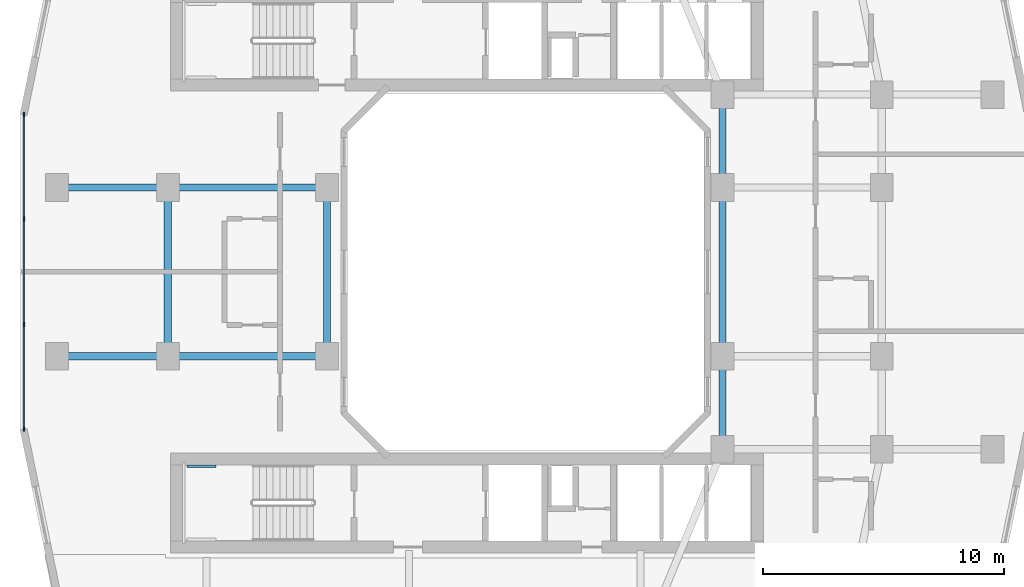
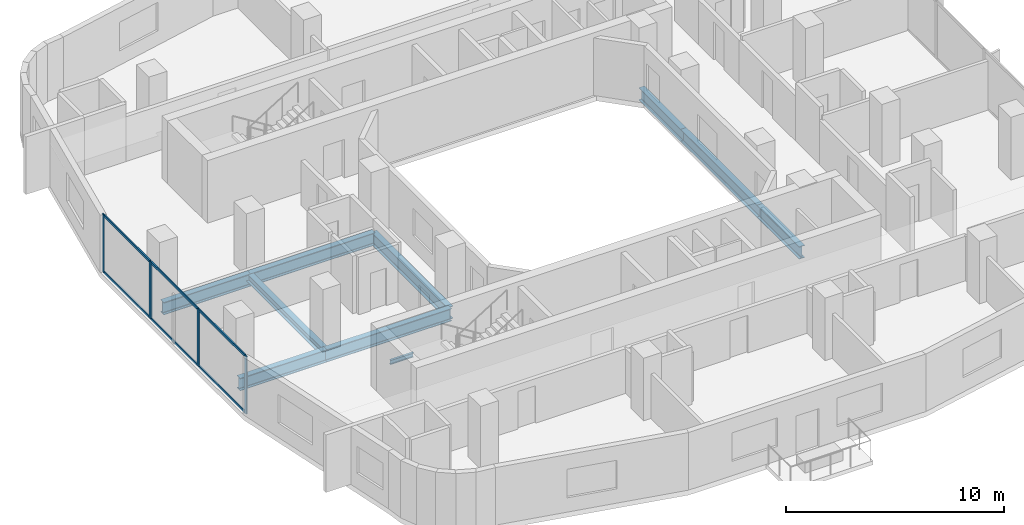
# One storey, part 2 of 22: 10 beams, 10 members, 1 element without a shape of its own.
"""IFC4 building model written with IfcOpenShell, lengths in metres."""

import ifcopenshell
import ifcopenshell.guid

model = None  # the IFC model being written
_history = None  # IfcOwnerHistory: only IFC2X3 demands one
_inside = {}  # id of a spatial element -> (the spatial element, [elements in it])
_under = {}  # id of a project, library or spatial element -> (it, [spatial elements below it])
_declared = {}  # id of a project -> (the project, [libraries it declares])
_typed = {}  # id of a type object -> (the type object, [elements of that type])
_made_of = {}  # id of a material, layer set ... -> (it, [elements and type objects made of it])


def new_model(schema):
    """Start an empty IFC model of exactly this schema.

    Asked for "IFC4X3", IfcOpenShell would pick the latest addendum, in which some entities
    have other attributes; the version numbers below select the first issue.
    IFC2X3 requires an IfcOwnerHistory on every rooted entity: one is made here for all.
    """
    global model, _history
    if schema == "IFC4X3":
        model = ifcopenshell.file(schema_version=(4, 3, 0, 0))
    else:
        model = ifcopenshell.file(schema=schema)
    _inside.clear()
    _under.clear()
    _declared.clear()
    _typed.clear()
    _made_of.clear()
    _history = None
    if model.schema == "IFC2X3":
        org = make("IfcOrganization", Name="unknown")
        user = make(
            "IfcPersonAndOrganization",
            ThePerson=make("IfcPerson", FamilyName="unknown"),
            TheOrganization=org,
        )
        app = make(
            "IfcApplication",
            ApplicationDeveloper=org,
            Version="unknown",
            ApplicationFullName="unknown",
            ApplicationIdentifier="unknown",
        )
        _history = make(
            "IfcOwnerHistory",
            OwningUser=user,
            OwningApplication=app,
            ChangeAction="ADDED",
            CreationDate=0,
        )
    return model


def make(cls, **values):
    """One entity of the class cls with the attributes given. An attribute that is None is left unset."""
    return model.create_entity(
        cls, **{name: value for name, value in values.items() if value is not None}
    )


def rooted(cls, **values):
    """An entity with a GlobalId (a new one), such as an element, a storey or a relation."""
    return make(cls, GlobalId=ifcopenshell.guid.new(), OwnerHistory=_history, **values)


def si_unit(unit_type, name, prefix=None):
    """IfcSIUnit, for example si_unit("LENGTHUNIT", "METRE", prefix="MILLI")."""
    return make("IfcSIUnit", UnitType=unit_type, Prefix=prefix, Name=name)


def derived_unit(unit_type, elements):
    """IfcDerivedUnit: a product of units, each with its exponent."""
    return make(
        "IfcDerivedUnit",
        Elements=[
            make("IfcDerivedUnitElement", Unit=unit, Exponent=power)
            for unit, power in elements
        ],
        UnitType=unit_type,
    )


def assignment(units):
    """IfcUnitAssignment: the units of a project."""
    return None if units is None else make("IfcUnitAssignment", Units=units)


def point(xyz):
    """IfcCartesianPoint."""
    return None if xyz is None else make("IfcCartesianPoint", Coordinates=xyz)


def direction(xyz):
    """IfcDirection."""
    return None if xyz is None else make("IfcDirection", DirectionRatios=xyz)


def frame(location, z_axis=None, x_axis=None):
    """IfcAxis2Placement3D, a coordinate frame: its origin and axes. An axis left out is left unset."""
    return make(
        "IfcAxis2Placement3D",
        Location=point(location),
        Axis=direction(z_axis),
        RefDirection=direction(x_axis),
    )


def frame_2d(location, x_axis=None):
    """IfcAxis2Placement2D, a coordinate frame in the plane: its origin and x axis."""
    return make(
        "IfcAxis2Placement2D", Location=point(location), RefDirection=direction(x_axis)
    )


def origin():
    """The frame at (0, 0, 0) with its axes left unset."""
    return frame((0.0, 0.0, 0.0))


def origin_2d():
    """The frame at (0, 0) in the plane with its x axis left unset."""
    return frame_2d((0.0, 0.0))


def place(relative_to, where):
    """IfcLocalPlacement: puts the frame where relative to a parent placement (None: the world)."""
    return make(
        "IfcLocalPlacement", PlacementRelTo=relative_to, RelativePlacement=where
    )


def context(
    kind, dimensions, precision=None, world=None, true_north=None, identifier=None
):
    """IfcGeometricRepresentationContext, for example the 3D "Model" context."""
    return make(
        "IfcGeometricRepresentationContext",
        ContextIdentifier=identifier,
        ContextType=kind,
        CoordinateSpaceDimension=dimensions,
        Precision=precision,
        WorldCoordinateSystem=world,
        TrueNorth=true_north,
    )


def subcontext(parent, identifier, kind, view, scale=None):
    """IfcGeometricRepresentationSubContext, for example "Body" below "Model"."""
    return make(
        "IfcGeometricRepresentationSubContext",
        ContextIdentifier=identifier,
        ContextType=kind,
        ParentContext=parent,
        TargetScale=scale,
        TargetView=view,
    )


def project(units=None, contexts=None):
    """IfcProject with its units and contexts."""
    return rooted(
        "IfcProject",
        Name="project",
        RepresentationContexts=contexts,
        UnitsInContext=assignment(units),
    )


def spatial(cls, under=None, at=None, **own):
    """A site, building, storey or space (cls), placed at a placement, below another one or the project."""
    s = rooted(cls, ObjectPlacement=at, **own)
    if under is not None:
        _under.setdefault(under.id(), (under, []))[1].append(s)
    return s


def profile(cls, at=None, kind="AREA", **sizes):
    """A parametric profile (cls). Its sizes go by their IFC names, for example OverallWidth=200.0."""
    return make(cls, ProfileType=kind, Position=at, **sizes)


def rectangle(**sizes):
    """IfcRectangleProfileDef."""
    return profile("IfcRectangleProfileDef", **sizes)


def i_section(**sizes):
    """IfcIShapeProfileDef."""
    return profile("IfcIShapeProfileDef", **sizes)


def extrude(swept, where, along, depth):
    """IfcExtrudedAreaSolid: the profile swept, set in the frame where, extruded along a direction by depth."""
    return make(
        "IfcExtrudedAreaSolid",
        SweptArea=swept,
        Position=where,
        ExtrudedDirection=direction(along),
        Depth=depth,
    )


def shape(context_of_items, identifier, shape_type, items):
    """IfcShapeRepresentation: the items that make up one representation, for example the "Body"."""
    return make(
        "IfcShapeRepresentation",
        ContextOfItems=context_of_items,
        RepresentationIdentifier=identifier,
        RepresentationType=shape_type,
        Items=items,
    )


def material(Name=None, Category=None):
    """IfcMaterial."""
    return make("IfcMaterial", Name=Name, Category=Category)


def layer(
    of_material, thickness, ventilated=None, Name=None, Category=None, Priority=None
):
    """IfcMaterialLayer: one layer of a wall or slab, of a material (None: an air gap)."""
    return make(
        "IfcMaterialLayer",
        Material=of_material,
        LayerThickness=thickness,
        IsVentilated=ventilated,
        Name=Name,
        Category=Category,
        Priority=Priority,
    )


def layer_set(layers, Name=None):
    """IfcMaterialLayerSet."""
    return make("IfcMaterialLayerSet", MaterialLayers=layers, LayerSetName=Name)


def material_profile(
    of_material, cross_section, Name=None, Category=None, Priority=None
):
    """IfcMaterialProfile: a cross section and its material."""
    return make(
        "IfcMaterialProfile",
        Name=Name,
        Material=of_material,
        Profile=cross_section,
        Priority=Priority,
        Category=Category,
    )


def profile_set(profiles, Name=None, composite=None):
    """IfcMaterialProfileSet."""
    return make(
        "IfcMaterialProfileSet",
        Name=Name,
        MaterialProfiles=profiles,
        CompositeProfile=composite,
    )


def made_of(thing, what):
    """Note that an element or type object is made of a material, layer set ...; save() writes the relation."""
    if what is not None:
        _made_of.setdefault(what.id(), (what, []))[1].append(thing)
    return thing


def type_object(cls, material=None, **own):
    """A type object (cls), such as IfcWallType, which elements share."""
    return made_of(rooted(cls, **own), material)


def element(
    cls,
    number,
    at=None,
    inside=None,
    cuts=None,
    type_object=None,
    material=None,
    context=None,
    identifier="Body",
    shape_type=None,
    held_by="IfcProductDefinitionShape",
    body=None,
    shapes=None,
    **own,
):
    """One element of the class cls, such as IfcWall. Its Tag is "e" and its number.

    at: its placement. inside: the storey or other place that contains it. cuts: it is an
    opening in that element (IfcRelVoidsElement). A single representation is given by context,
    identifier, shape_type and body (its items); several are given by shapes. held_by: the class
    of the entity that holds the representations. save() writes the other relations.
    """
    e = rooted(cls, Tag="e%d" % number, ObjectPlacement=at, **own)
    if body is not None:
        shapes = [shape(context, identifier, shape_type, body)]
    if shapes is not None:
        e.Representation = make(held_by, Representations=shapes)
    if inside is not None:
        _inside.setdefault(inside.id(), (inside, []))[1].append(e)
    if cuts is not None:
        rooted(
            "IfcRelVoidsElement", RelatingBuildingElement=cuts, RelatedOpeningElement=e
        )
    if type_object is not None:
        _typed.setdefault(type_object.id(), (type_object, []))[1].append(e)
    return made_of(e, material)


def aggregate(whole, parts):
    """IfcRelAggregates: a whole, such as a stair, and the parts it consists of."""
    return rooted("IfcRelAggregates", RelatingObject=whole, RelatedObjects=parts)


def save(model, path):
    """Write the relations noted so far, then the file.

    IfcRelAggregates (storeys below a building ...), IfcRelContainedInSpatialStructure (elements
    in a storey), IfcRelDefinesByType, IfcRelAssociatesMaterial and IfcRelDeclares: one each for
    every whole, place, type object, material and project.
    """
    for whole, parts in _under.values():
        aggregate(whole, parts)
    for where, things in _inside.values():
        rooted(
            "IfcRelContainedInSpatialStructure",
            RelatedElements=things,
            RelatingStructure=where,
        )
    for kind, things in _typed.values():
        rooted("IfcRelDefinesByType", RelatedObjects=things, RelatingType=kind)
    for what, things in _made_of.values():
        rooted("IfcRelAssociatesMaterial", RelatedObjects=things, RelatingMaterial=what)
    for by, libraries in _declared.values():
        rooted("IfcRelDeclares", RelatingContext=by, RelatedDefinitions=libraries)
    model.write(path)


model = new_model("IFC4")

# Units and contexts
model_context = context("Model", 3, precision=1e-05, world=origin(), true_north=direction((0.0, 1.0)))
body_context = subcontext(model_context, "Body", "Model", "MODEL_VIEW")
ifc_project = project(units=[si_unit("LENGTHUNIT", "METRE"), si_unit("AREAUNIT", "SQUARE_METRE"), si_unit("VOLUMEUNIT", "CUBIC_METRE"), si_unit("PLANEANGLEUNIT", "RADIAN"), si_unit("MASSUNIT", "GRAM", prefix="KILO"), derived_unit("THERMALTRANSMITTANCEUNIT", [(si_unit("POWERUNIT", "WATT"), 1), (si_unit("LENGTHUNIT", "METRE"), -2), (si_unit("THERMODYNAMICTEMPERATUREUNIT", "KELVIN"), -1)])], contexts=[model_context])

# Site, building, storey
site_placement = place(None, origin())
site = spatial("IfcSite", under=ifc_project, at=site_placement, CompositionType="ELEMENT")
building_placement = place(site_placement, origin())
building = spatial("IfcBuilding", under=site, at=building_placement, Name="Kivonza Crest Hotel", CompositionType="ELEMENT")
storey_placement = place(building_placement, frame((0.0, 0.0, 59.0)))
storey = spatial("IfcBuildingStorey", under=building, at=storey_placement, Name="L15", CompositionType="ELEMENT", Elevation=59.0)

# Beams
ifc_material_1 = material(Name="Steel S355", Category="steel")
ifc_material_profile_1 = material_profile(ifc_material_1, i_section(OverallWidth=0.300048828125, OverallDepth=0.449951171875, WebThickness=0.013916015625, FlangeThickness=0.02587890625, FilletRadius=0.027099609375, at=origin_2d()), Name="HEB 450")
ifc_profile_set_1 = profile_set([ifc_material_profile_1], Name="Steel S355")
beam_type_1 = type_object("IfcBeamType", Name="BM-HEB450", PredefinedType="SPANDREL", material=ifc_profile_set_1)
beam_1_placement = place(storey_placement, frame((6.199951171875, 28.5, -0.5048828125), z_axis=(0.0, -1.0, 0.0), x_axis=(1.0, 0.0, 0.0)))
element("IfcBeam", 1, at=beam_1_placement, inside=storey, type_object=beam_type_1, Name="Tower T1 L15 perimeter spandrel W2-W1", PredefinedType="SPANDREL", context=body_context, shape_type="SweptSolid", body=[
    extrude(i_section(OverallWidth=0.300048828125, OverallDepth=0.449951171875, WebThickness=0.013916015625, FlangeThickness=0.02587890625, FilletRadius=0.027099609375, at=origin_2d()), origin(), (0.0, 0.0, 1.0), 7.0),
])
ifc_material_profile_2 = material_profile(ifc_material_1, i_section(OverallWidth=0.300048828125, OverallDepth=0.699951171875, WebThickness=0.01708984375, FlangeThickness=0.031982421875, FilletRadius=0.027099609375, at=origin_2d()), Name="HEB 700")
ifc_profile_set_2 = profile_set([ifc_material_profile_2], Name="Steel S355")
beam_type_2 = type_object("IfcBeamType", Name="BM-HEB700", PredefinedType="BEAM", material=ifc_profile_set_2)
for number, where, z_axis, x_axis, name in (
    (2, (6.199951171875, 21.5, -0.6298828125), (1.0, 0.0, 0.0), (0.0, 1.0, 0.0), "Tower T1 L15 primary girder W1-WL1"),
    (3, (6.199951171875, 28.5, -0.6298828125), (1.0, 0.0, 0.0), (0.0, 1.0, 0.0), "Tower T1 L15 primary girder W2-WL2"),
):
    element("IfcBeam", number, at=place(storey_placement, frame(where, z_axis=z_axis, x_axis=x_axis)), inside=storey, type_object=beam_type_2, Name=name, PredefinedType="BEAM", context=body_context, shape_type="SweptSolid", body=[
        extrude(i_section(OverallWidth=0.300048828125, OverallDepth=0.699951171875, WebThickness=0.01708984375, FlangeThickness=0.031982421875, FilletRadius=0.027099609375, at=origin_2d()), origin(), (0.0, 0.0, 1.0), 6.60009765625),
    ])
for number, where, z_axis, x_axis, name in (
    (4, (12.800048828125, 21.5, -0.6298828125), (0.0, 1.0, 0.0), (-1.0, 0.0, 0.0), "Tower T1 L15 primary girder WL1-WL2"),
    (5, (29.199951171875, 21.5, -0.6298828125), (0.0, 1.0, 0.0), (-1.0, 0.0, 0.0), "Tower T1 L15 primary girder WR1-WR2"),
):
    element("IfcBeam", number, at=place(storey_placement, frame(where, z_axis=z_axis, x_axis=x_axis)), inside=storey, type_object=beam_type_2, Name=name, PredefinedType="BEAM", context=body_context, shape_type="SweptSolid", body=[
        extrude(i_section(OverallWidth=0.300048828125, OverallDepth=0.699951171875, WebThickness=0.01708984375, FlangeThickness=0.031982421875, FilletRadius=0.027099609375, at=origin_2d()), origin(), (0.0, 0.0, 1.0), 7.0),
    ])
for number, where, z_axis, x_axis, name in (
    (6, (29.199951171875, 17.64990234375, -0.6298828125), (0.0, 1.0, 0.0), (-1.0, 0.0, 0.0), "Tower T1 L15 primary girder TSE-WR1"),
    (7, (29.199951171875, 28.5, -0.6298828125), (0.0, 1.0, 0.0), (-1.0, 0.0, 0.0), "Tower T1 L15 primary girder WR2-TNE"),
):
    element("IfcBeam", number, at=place(storey_placement, frame(where, z_axis=z_axis, x_axis=x_axis)), inside=storey, type_object=beam_type_2, Name=name, PredefinedType="BEAM", context=body_context, shape_type="SweptSolid", body=[
        extrude(i_section(OverallWidth=0.300048828125, OverallDepth=0.699951171875, WebThickness=0.01708984375, FlangeThickness=0.031982421875, FilletRadius=0.027099609375, at=origin_2d()), origin(), (0.0, 0.0, 1.0), 3.85009765625),
    ])
for number, where, z_axis, x_axis, name in (
    (8, (1.60009765625, 21.5, -0.6298828125), (1.0, 0.0, 0.0), (0.0, 1.0, 0.0), "Tower T1 L15 outer bay girder ZW1"),
    (9, (1.60009765625, 28.5, -0.6298828125), (1.0, 0.0, 0.0), (0.0, 1.0, 0.0), "Tower T1 L15 outer bay girder ZW2"),
):
    element("IfcBeam", number, at=place(storey_placement, frame(where, z_axis=z_axis, x_axis=x_axis)), inside=storey, type_object=beam_type_2, Name=name, PredefinedType="BEAM", context=body_context, shape_type="SweptSolid", body=[
        extrude(i_section(OverallWidth=0.300048828125, OverallDepth=0.699951171875, WebThickness=0.01708984375, FlangeThickness=0.031982421875, FilletRadius=0.027099609375, at=origin_2d()), origin(), (0.0, 0.0, 1.0), 4.599853515625),
    ])
ifc_material_profile_3 = material_profile(ifc_material_1, i_section(OverallWidth=0.1201171875, OverallDepth=0.239990234375, WebThickness=0.006103515625, FlangeThickness=0.009765625, FilletRadius=0.014892578125, at=origin_2d()), Name="IPE 240")
ifc_profile_set_3 = profile_set([ifc_material_profile_3], Name="Steel S355")
beam_type_3 = type_object("IfcBeamType", Name="BM-LLDG-240", PredefinedType="BEAM", material=ifc_profile_set_3)
beam_2_placement = place(storey_placement, frame((6.989990234375, 16.93994140625, 1.429931640625), z_axis=(1.0, 0.0, 0.0), x_axis=(0.0, 1.0, 0.0)))
element("IfcBeam", 10, at=beam_2_placement, inside=storey, type_object=beam_type_3, Name="Stair ST-T1-S L15 North landing corbel", PredefinedType="BEAM", context=body_context, shape_type="SweptSolid", body=[
    extrude(i_section(OverallWidth=0.1201171875, OverallDepth=0.239990234375, WebThickness=0.006103515625, FlangeThickness=0.009765625, FilletRadius=0.014892578125, at=origin_2d()), origin(), (0.0, 0.0, 1.0), 1.2099609375),
])

# Curtain wall, members
ifc_material_2 = material(Name="Anodised bronze aluminium and low-E double glazing", Category="aluminium")
ifc_layer = layer(ifc_material_2, 0.179931640625)
ifc_layer_set = layer_set([ifc_layer], Name="Anodised bronze aluminium and low-E double glazing")
curtain_wall_type = type_object("IfcCurtainWallType", Name="CW-SYS-2", PredefinedType="NOTDEFINED", material=ifc_layer_set)
curtain_wall_placement = place(storey_placement, origin())
curtain_wall = element("IfcCurtainWall", 11, at=curtain_wall_placement, inside=storey, type_object=curtain_wall_type, Name="L15 unitised curtain wall CW-T1-L15-35", PredefinedType="NOTDEFINED")
ifc_material_3 = material(Name="Anodised bronze aluminium", Category="aluminium")
ifc_material_profile_4 = material_profile(ifc_material_3, rectangle(XDim=0.06494140625, YDim=0.179931640625, at=origin_2d()), Name="CW-M 65x180")
ifc_profile_set_4 = profile_set([ifc_material_profile_4], Name="Anodised bronze aluminium")
member_type_1 = type_object("IfcMemberType", Name="CW-MUL-65x180", PredefinedType="MULLION", material=ifc_profile_set_4)
member_1_placement = place(storey_placement, frame((0.239990234375, 31.527587890625, 0.0), z_axis=(0.0, 0.0, 1.0), x_axis=(1.0, 0.0, 0.0)))
member_1 = element("IfcMember", 12, at=member_1_placement, type_object=member_type_1, Name="CW-2 mullion 1", PredefinedType="MULLION", context=body_context, shape_type="SweptSolid", body=[
    extrude(rectangle(XDim=0.06494140625, YDim=0.179931640625, at=origin_2d()), origin(), (0.0, 0.0, 1.0), 3.219970703125),
])
member_2_placement = place(storey_placement, frame((0.239990234375, 27.186767578125, 0.0), z_axis=(0.0, 0.0, 1.0), x_axis=(1.0, 0.0, 0.0)))
member_2 = element("IfcMember", 13, at=member_2_placement, type_object=member_type_1, Name="CW-2 mullion 2", PredefinedType="MULLION", context=body_context, shape_type="SweptSolid", body=[
    extrude(rectangle(XDim=0.06494140625, YDim=0.179931640625, at=origin_2d()), origin(), (0.0, 0.0, 1.0), 3.219970703125),
])
member_3_placement = place(storey_placement, frame((0.239990234375, 22.813232421875, 0.0), z_axis=(0.0, 0.0, 1.0), x_axis=(1.0, 0.0, 0.0)))
member_3 = element("IfcMember", 14, at=member_3_placement, type_object=member_type_1, Name="CW-2 mullion 3", PredefinedType="MULLION", context=body_context, shape_type="SweptSolid", body=[
    extrude(rectangle(XDim=0.06494140625, YDim=0.179931640625, at=origin_2d()), origin(), (0.0, 0.0, 1.0), 3.219970703125),
])
member_4_placement = place(storey_placement, frame((0.239990234375, 18.472412109375, 0.0), z_axis=(0.0, 0.0, 1.0), x_axis=(1.0, 0.0, 0.0)))
member_4 = element("IfcMember", 15, at=member_4_placement, type_object=member_type_1, Name="CW-2 mullion 4", PredefinedType="MULLION", context=body_context, shape_type="SweptSolid", body=[
    extrude(rectangle(XDim=0.06494140625, YDim=0.179931640625, at=origin_2d()), origin(), (0.0, 0.0, 1.0), 3.219970703125),
])
ifc_material_profile_5 = material_profile(ifc_material_3, rectangle(XDim=0.06494140625, YDim=0.139892578125, at=origin_2d()), Name="CW-T 65x140")
ifc_profile_set_5 = profile_set([ifc_material_profile_5], Name="Anodised bronze aluminium")
member_type_2 = type_object("IfcMemberType", Name="CW-TRN-65x140", PredefinedType="USERDEFINED", material=ifc_profile_set_5)
member_5_placement = place(storey_placement, frame((0.239990234375, 31.4951171875, 0.032470703125), z_axis=(0.0, -1.0, 0.0), x_axis=(1.0, 0.0, 0.0)))
member_5 = element("IfcMember", 16, at=member_5_placement, type_object=member_type_2, Name="CW-2 transom 1.1", ObjectType="TRANSOM", PredefinedType="USERDEFINED", context=body_context, shape_type="SweptSolid", body=[
    extrude(rectangle(XDim=0.06494140625, YDim=0.139892578125, at=origin_2d()), origin(), (0.0, 0.0, 1.0), 4.27587890625),
])
member_6_placement = place(storey_placement, frame((0.239990234375, 31.4951171875, 3.1875), z_axis=(0.0, -1.0, 0.0), x_axis=(1.0, 0.0, 0.0)))
member_6 = element("IfcMember", 17, at=member_6_placement, type_object=member_type_2, Name="CW-2 transom 1.2", ObjectType="TRANSOM", PredefinedType="USERDEFINED", context=body_context, shape_type="SweptSolid", body=[
    extrude(rectangle(XDim=0.06494140625, YDim=0.139892578125, at=origin_2d()), origin(), (0.0, 0.0, 1.0), 4.27587890625),
])
member_7_placement = place(storey_placement, frame((0.239990234375, 27.154052734375, 0.032470703125), z_axis=(0.0, -1.0, 0.0), x_axis=(1.0, 0.0, 0.0)))
member_7 = element("IfcMember", 18, at=member_7_placement, type_object=member_type_2, Name="CW-2 transom 2.1", ObjectType="TRANSOM", PredefinedType="USERDEFINED", context=body_context, shape_type="SweptSolid", body=[
    extrude(rectangle(XDim=0.06494140625, YDim=0.139892578125, at=origin_2d()), origin(), (0.0, 0.0, 1.0), 4.30810546875),
])
member_8_placement = place(storey_placement, frame((0.239990234375, 27.154052734375, 3.1875), z_axis=(0.0, -1.0, 0.0), x_axis=(1.0, 0.0, 0.0)))
member_8 = element("IfcMember", 19, at=member_8_placement, type_object=member_type_2, Name="CW-2 transom 2.2", ObjectType="TRANSOM", PredefinedType="USERDEFINED", context=body_context, shape_type="SweptSolid", body=[
    extrude(rectangle(XDim=0.06494140625, YDim=0.139892578125, at=origin_2d()), origin(), (0.0, 0.0, 1.0), 4.30810546875),
])
member_9_placement = place(storey_placement, frame((0.239990234375, 22.78076171875, 0.032470703125), z_axis=(0.0, -1.0, 0.0), x_axis=(1.0, 0.0, 0.0)))
member_9 = element("IfcMember", 20, at=member_9_placement, type_object=member_type_2, Name="CW-2 transom 3.1", ObjectType="TRANSOM", PredefinedType="USERDEFINED", context=body_context, shape_type="SweptSolid", body=[
    extrude(rectangle(XDim=0.06494140625, YDim=0.139892578125, at=origin_2d()), origin(), (0.0, 0.0, 1.0), 4.27587890625),
])
member_10_placement = place(storey_placement, frame((0.239990234375, 22.78076171875, 3.1875), z_axis=(0.0, -1.0, 0.0), x_axis=(1.0, 0.0, 0.0)))
member_10 = element("IfcMember", 21, at=member_10_placement, type_object=member_type_2, Name="CW-2 transom 3.2", ObjectType="TRANSOM", PredefinedType="USERDEFINED", context=body_context, shape_type="SweptSolid", body=[
    extrude(rectangle(XDim=0.06494140625, YDim=0.139892578125, at=origin_2d()), origin(), (0.0, 0.0, 1.0), 4.27587890625),
])
aggregate(curtain_wall, [member_1, member_2, member_3, member_4, member_5, member_6, member_7, member_8, member_9, member_10])

save(model, "model.ifc")
